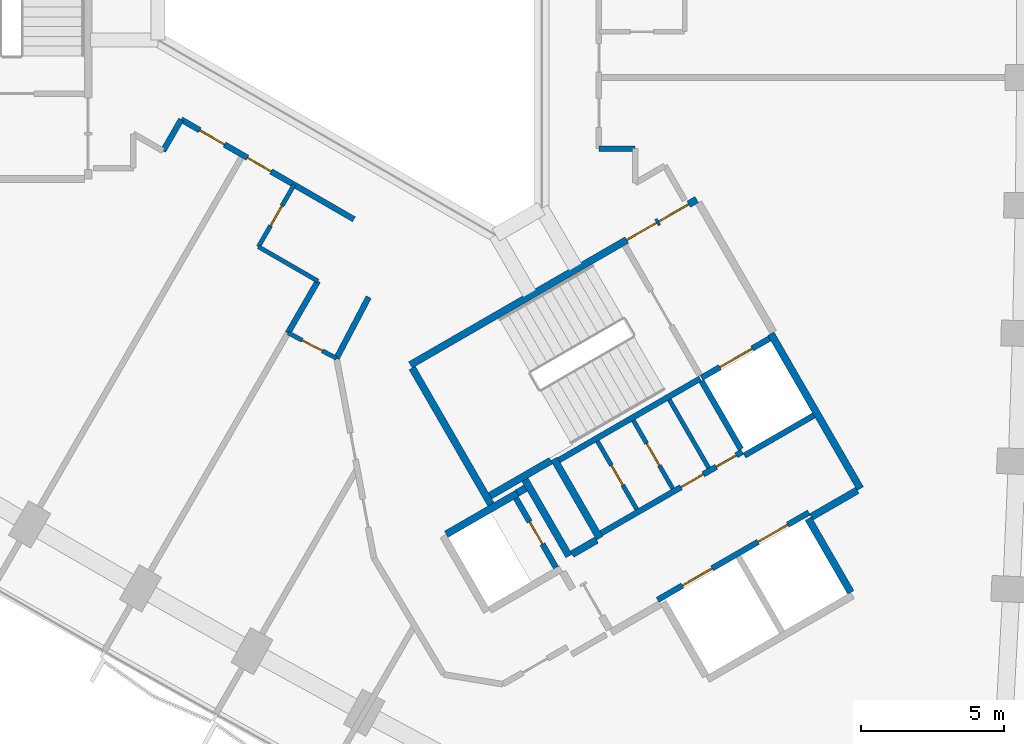
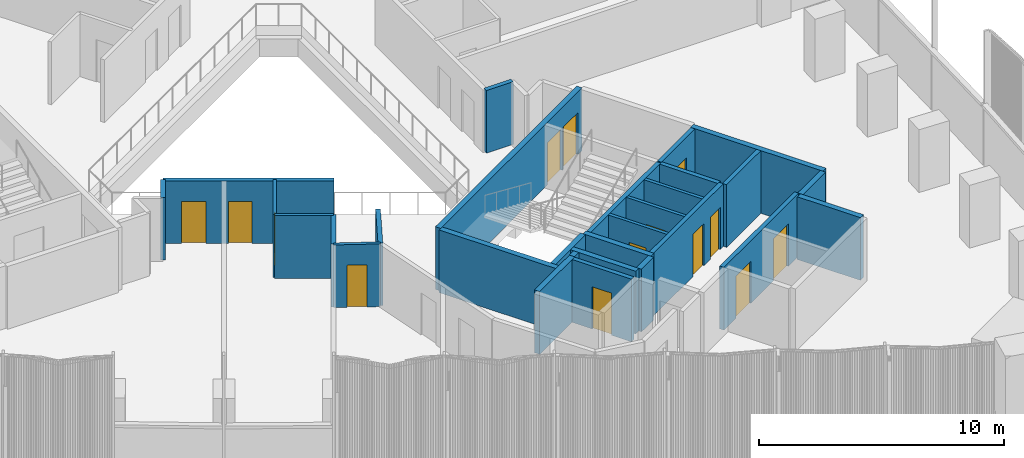
# One storey, part 10 of 16: 29 walls, 14 doors, 14 openings.
"""IFC4 building model written with IfcOpenShell, lengths in metres."""

from ifc_helpers import new_model, si_unit, direction, frame, frame_2d, origin, place, context, subcontext, project, spatial, rectangle, extrude, material, layer, layer_set, type_object, element, fill, save


model = new_model("IFC4")

# Units and contexts
model_context = context("Model", 3, precision=1e-05, world=origin(), true_north=direction((0.0, 1.0)))
body_context = subcontext(model_context, "Body", "Model", "MODEL_VIEW")
ifc_project = project(units=[si_unit("LENGTHUNIT", "METRE"), si_unit("AREAUNIT", "SQUARE_METRE"), si_unit("VOLUMEUNIT", "CUBIC_METRE"), si_unit("PLANEANGLEUNIT", "RADIAN"), si_unit("MASSUNIT", "GRAM", prefix="KILO")], contexts=[model_context])

# Site, building, storey
site_placement = place(None, origin())
site = spatial("IfcSite", under=ifc_project, at=site_placement, CompositionType="ELEMENT")
building_placement = place(site_placement, origin())
building = spatial("IfcBuilding", under=site, at=building_placement, Name="Tamra Quay Hotel Tower", CompositionType="ELEMENT")
storey_placement = place(building_placement, frame((0.0, 0.0, 45.800048828125)))
storey = spatial("IfcBuildingStorey", under=building, at=storey_placement, Name="L09", CompositionType="ELEMENT", Elevation=45.800048828125)

# Wall, openings, doors
ifc_material_1 = material(Name="Concrete M70", Category="concrete")
ifc_layer_1 = layer(ifc_material_1, 0.199951171875)
ifc_layer_set_1 = layer_set([ifc_layer_1], Name="Concrete M70 core wall 200")
wall_type_1 = type_object("IfcWallType", Name="Concrete M70 core wall 200", PredefinedType="SHEAR", material=ifc_layer_set_1)
wall_1_placement = place(storey_placement, frame((9.052490234375, -20.479736328125, 0.0), z_axis=(0.0, 0.0, 1.0), x_axis=(0.866030299012, 0.499991521122, 0.0)))
wall_1 = element("IfcWall", 1, at=wall_1_placement, inside=storey, type_object=wall_type_1, Name="CW2", PredefinedType="SHEAR", context=body_context, shape_type="SweptSolid", body=[
    extrude(rectangle(XDim=6.10009765625, YDim=0.199951171875, at=frame_2d((3.050048828125, 0.0))), origin(), (0.0, 0.0, 1.0), 3.125),
])
opening_1_placement = place(wall_1_placement, frame((1.0, 0.0, 0.0)))
opening_1 = element("IfcOpeningElement", 2, at=opening_1_placement, cuts=wall_1, Name="Opening LD", PredefinedType="OPENING", context=body_context, shape_type="SweptSolid", body=[
    extrude(rectangle(XDim=1.199951171875, YDim=2.10009765625, at=frame_2d((0.60009765625, 1.050048828125))), frame((0.0, 0.10986328125, 0.0), z_axis=(0.0, -1.0, 0.0), x_axis=(1.0, 0.0, 0.0)), (0.0, 0.0, 1.0), 0.219970703125),
])
opening_2_placement = place(wall_1_placement, frame((4.05029296875, 0.0, 0.0)))
opening_2 = element("IfcOpeningElement", 3, at=opening_2_placement, cuts=wall_1, Name="Opening LD", PredefinedType="OPENING", context=body_context, shape_type="SweptSolid", body=[
    extrude(rectangle(XDim=1.199951171875, YDim=2.10009765625, at=frame_2d((0.60009765625, 1.050048828125))), frame((0.0, 0.10986328125, 0.0), z_axis=(0.0, -1.0, 0.0), x_axis=(1.0, 0.0, 0.0)), (0.0, 0.0, 1.0), 0.219970703125),
])
ifc_material_2 = material(Name="Landing door LD 1200 double door sliding")
door_type_1 = type_object("IfcDoorType", Name="Landing door LD 1200 double door sliding", OperationType="DOUBLE_DOOR_SLIDING", PredefinedType="DOOR", material=ifc_material_2)
door_1_placement = place(opening_1_placement, origin())
door_1 = element("IfcDoor", 4, at=door_1_placement, inside=storey, type_object=door_type_1, Name="LD", OperationType="DOUBLE_DOOR_SLIDING", OverallHeight=2.10009765625, OverallWidth=1.199951171875, PredefinedType="DOOR", context=body_context, shape_type="SweptSolid", body=[
    extrude(rectangle(XDim=1.199951171875, YDim=2.10009765625, at=frame_2d((0.60009765625, 1.050048828125))), frame((0.0, 0.02490234375, 0.0), z_axis=(0.0, -1.0, 0.0), x_axis=(1.0, 0.0, 0.0)), (0.0, 0.0, 1.0), 0.050048828125),
])
fill(opening_1, door_1)
door_2_placement = place(opening_2_placement, origin())
door_2 = element("IfcDoor", 5, at=door_2_placement, inside=storey, type_object=door_type_1, Name="LD", OperationType="DOUBLE_DOOR_SLIDING", OverallHeight=2.10009765625, OverallWidth=1.199951171875, PredefinedType="DOOR", context=body_context, shape_type="SweptSolid", body=[
    extrude(rectangle(XDim=1.199951171875, YDim=2.10009765625, at=frame_2d((0.60009765625, 1.050048828125))), frame((0.0, 0.02490234375, 0.0), z_axis=(0.0, -1.0, 0.0), x_axis=(1.0, 0.0, 0.0)), (0.0, 0.0, 1.0), 0.050048828125),
])
fill(opening_2, door_2)

# Wall
wall_2_placement = place(storey_placement, frame((10.537841796875, -12.751953125, 0.0), z_axis=(0.0, 0.0, 1.0), x_axis=(-0.866038630372, -0.499977090179, 0.0)))
element("IfcWall", 6, at=wall_2_placement, inside=storey, type_object=wall_type_1, Name="CW2", PredefinedType="SHEAR", context=body_context, shape_type="SweptSolid", body=[
    extrude(rectangle(XDim=5.698974609375, YDim=0.199951171875, at=frame_2d((2.849609375, 0.0))), origin(), (0.0, 0.0, 1.0), 3.125),
])

# Wall, openings, doors
wall_3_placement = place(storey_placement, frame((7.0771484375, -18.156005859375, 0.0), z_axis=(0.0, 0.0, 1.0), x_axis=(0.866038630372, 0.499977090179, 0.0)))
wall_3 = element("IfcWall", 7, at=wall_3_placement, inside=storey, type_object=wall_type_1, Name="CW2", PredefinedType="SHEAR", context=body_context, shape_type="SweptSolid", body=[
    extrude(rectangle(XDim=5.698974609375, YDim=0.199951171875, at=frame_2d((2.849609375, 0.0))), origin(), (0.0, 0.0, 1.0), 3.125),
])
opening_3_placement = place(wall_3_placement, frame((3.22412109375, 0.0, 0.0)))
opening_3 = element("IfcOpeningElement", 8, at=opening_3_placement, cuts=wall_3, Name="Opening D2", PredefinedType="OPENING", context=body_context, shape_type="SweptSolid", body=[
    extrude(rectangle(XDim=0.89990234375, YDim=2.10009765625, at=frame_2d((0.449951171875, 1.050048828125))), frame((0.0, 0.10986328125, 0.0), z_axis=(0.0, -1.0, 0.0), x_axis=(1.0, 0.0, 0.0)), (0.0, 0.0, 1.0), 0.219970703125),
])
opening_4_placement = place(wall_3_placement, frame((4.64892578125, 0.0, 0.0)))
opening_4 = element("IfcOpeningElement", 9, at=opening_4_placement, cuts=wall_3, Name="Opening D3", PredefinedType="OPENING", context=body_context, shape_type="SweptSolid", body=[
    extrude(rectangle(XDim=0.800048828125, YDim=2.10009765625, at=frame_2d((0.39990234375, 1.050048828125))), frame((0.0, 0.10986328125, 0.0), z_axis=(0.0, -1.0, 0.0), x_axis=(1.0, 0.0, 0.0)), (0.0, 0.0, 1.0), 0.219970703125),
])
ifc_material_3 = material(Name="Core door D2 900x2100 RH")
door_type_2 = type_object("IfcDoorType", Name="Core door D2 900x2100 RH", OperationType="NOTDEFINED", PredefinedType="DOOR", material=ifc_material_3)
door_3_placement = place(opening_3_placement, origin())
door_3 = element("IfcDoor", 10, at=door_3_placement, inside=storey, type_object=door_type_2, Name="D2", OperationType="SINGLE_SWING_RIGHT", OverallHeight=2.10009765625, OverallWidth=0.89990234375, PredefinedType="DOOR", context=body_context, shape_type="SweptSolid", body=[
    extrude(rectangle(XDim=0.89990234375, YDim=2.10009765625, at=frame_2d((0.449951171875, 1.050048828125))), frame((0.0, 0.02490234375, 0.0), z_axis=(0.0, -1.0, 0.0), x_axis=(1.0, 0.0, 0.0)), (0.0, 0.0, 1.0), 0.050048828125),
])
fill(opening_3, door_3)
ifc_material_4 = material(Name="Core door D3 800x2100 LH")
door_type_3 = type_object("IfcDoorType", Name="Core door D3 800x2100 LH", OperationType="NOTDEFINED", PredefinedType="DOOR", material=ifc_material_4)
door_4_placement = place(opening_4_placement, origin())
door_4 = element("IfcDoor", 11, at=door_4_placement, inside=storey, type_object=door_type_3, Name="D3", OperationType="SINGLE_SWING_LEFT", OverallHeight=2.10009765625, OverallWidth=0.800048828125, PredefinedType="DOOR", context=body_context, shape_type="SweptSolid", body=[
    extrude(rectangle(XDim=0.800048828125, YDim=2.10009765625, at=frame_2d((0.39990234375, 1.050048828125))), frame((0.0, 0.02490234375, 0.0), z_axis=(0.0, -1.0, 0.0), x_axis=(1.0, 0.0, 0.0)), (0.0, 0.0, 1.0), 0.050048828125),
])
fill(opening_4, door_4)

# Wall, opening, door
wall_4_placement = place(storey_placement, frame((5.50341796875, -19.352294921875, 0.0), z_axis=(0.0, 0.0, 1.0), x_axis=(-0.499986818241, 0.866033014143, 0.0)))
wall_4 = element("IfcWall", 12, at=wall_4_placement, inside=storey, type_object=wall_type_1, Name="CW2", PredefinedType="SHEAR", context=body_context, shape_type="SweptSolid", body=[
    extrude(rectangle(XDim=2.7978515625, YDim=0.199951171875, at=frame_2d((1.39892578125, 0.0))), origin(), (0.0, 0.0, 1.0), 3.125),
])
opening_5_placement = place(wall_4_placement, frame((0.948974609375, 0.0, 0.0)))
opening_5 = element("IfcOpeningElement", 13, at=opening_5_placement, cuts=wall_4, Name="Opening D1", PredefinedType="OPENING", context=body_context, shape_type="SweptSolid", body=[
    extrude(rectangle(XDim=0.89990234375, YDim=2.10009765625, at=frame_2d((0.449951171875, 1.050048828125))), frame((0.0, 0.10986328125, 0.0), z_axis=(0.0, -1.0, 0.0), x_axis=(1.0, 0.0, 0.0)), (0.0, 0.0, 1.0), 0.219970703125),
])
ifc_material_5 = material(Name="Core door D1 900x2100 RH")
door_type_4 = type_object("IfcDoorType", Name="Core door D1 900x2100 RH", OperationType="NOTDEFINED", PredefinedType="DOOR", material=ifc_material_5)
door_5_placement = place(opening_5_placement, origin())
door_5 = element("IfcDoor", 14, at=door_5_placement, inside=storey, type_object=door_type_4, Name="D1", OperationType="SINGLE_SWING_RIGHT", OverallHeight=2.10009765625, OverallWidth=0.89990234375, PredefinedType="DOOR", context=body_context, shape_type="SweptSolid", body=[
    extrude(rectangle(XDim=0.89990234375, YDim=2.10009765625, at=frame_2d((0.449951171875, 1.050048828125))), frame((0.0, 0.02490234375, 0.0), z_axis=(0.0, -1.0, 0.0), x_axis=(1.0, 0.0, 0.0)), (0.0, 0.0, 1.0), 0.050048828125),
])
fill(opening_5, door_5)

# Wall
wall_5_placement = place(storey_placement, frame((11.962646484375, -15.219970703125, 0.0), z_axis=(0.0, 0.0, 1.0), x_axis=(-0.500034990121, 0.866005201286, 0.0)))
element("IfcWall", 15, at=wall_5_placement, inside=storey, type_object=wall_type_1, Name="CW2", PredefinedType="SHEAR", context=body_context, shape_type="SweptSolid", body=[
    extrude(rectangle(XDim=2.749755859375, YDim=0.199951171875, at=frame_2d((1.375, 0.0))), origin(), (0.0, 0.0, 1.0), 3.125),
])

# Wall, opening, door
wall_6_placement = place(storey_placement, frame((10.587158203125, -12.72314453125, 0.0), z_axis=(0.0, 0.0, 1.0), x_axis=(0.866037306777, 0.499979382845, 0.0)))
wall_6 = element("IfcWall", 16, at=wall_6_placement, inside=storey, type_object=wall_type_1, Name="CW2", PredefinedType="SHEAR", context=body_context, shape_type="SweptSolid", body=[
    extrude(rectangle(XDim=2.74169921875, YDim=0.199951171875, at=frame_2d((1.370849609375, 0.0))), origin(), (0.0, 0.0, 1.0), 3.125),
])
opening_6_placement = place(wall_6_placement, frame((0.742919921875, 0.0, 0.0)))
opening_6 = element("IfcOpeningElement", 17, at=opening_6_placement, cuts=wall_6, Name="Opening LD", PredefinedType="OPENING", context=body_context, shape_type="SweptSolid", body=[
    extrude(rectangle(XDim=1.300048828125, YDim=2.10009765625, at=frame_2d((0.64990234375, 1.050048828125))), frame((0.0, 0.10986328125, 0.0), z_axis=(0.0, -1.0, 0.0), x_axis=(1.0, 0.0, 0.0)), (0.0, 0.0, 1.0), 0.219970703125),
])
ifc_material_6 = material(Name="Landing door LD 1300 sliding to left")
door_type_5 = type_object("IfcDoorType", Name="Landing door LD 1300 sliding to left", OperationType="NOTDEFINED", PredefinedType="DOOR", material=ifc_material_6)
door_6_placement = place(opening_6_placement, origin())
door_6 = element("IfcDoor", 18, at=door_6_placement, inside=storey, type_object=door_type_5, Name="LD", OperationType="SLIDING_TO_LEFT", OverallHeight=2.10009765625, OverallWidth=1.300048828125, PredefinedType="DOOR", context=body_context, shape_type="SweptSolid", body=[
    extrude(rectangle(XDim=1.300048828125, YDim=2.10009765625, at=frame_2d((0.64990234375, 1.050048828125))), frame((0.0, 0.02490234375, 0.0), z_axis=(0.0, -1.0, 0.0), x_axis=(1.0, 0.0, 0.0)), (0.0, 0.0, 1.0), 0.050048828125),
])
fill(opening_6, door_6)

# Wall
wall_7_placement = place(storey_placement, frame((14.51171875, -14.037109375, 0.0), z_axis=(0.0, 0.0, 1.0), x_axis=(-0.866044696403, -0.499966582715, 0.0)))
element("IfcWall", 19, at=wall_7_placement, inside=storey, type_object=wall_type_1, Name="CW2", PredefinedType="SHEAR", context=body_context, shape_type="SweptSolid", body=[
    extrude(rectangle(XDim=2.799072265625, YDim=0.199951171875, at=frame_2d((1.3994140625, 0.0))), origin(), (0.0, 0.0, 1.0), 3.125),
])

# Wall, openings, doors
ifc_layer_2 = layer(ifc_material_1, 0.25)
ifc_layer_set_2 = layer_set([ifc_layer_2], Name="Concrete M70 core wall 250")
wall_type_2 = type_object("IfcWallType", Name="Concrete M70 core wall 250", PredefinedType="SHEAR", material=ifc_layer_set_2)
wall_8_placement = place(storey_placement, frame((0.417236328125, -12.27294921875, 0.0), z_axis=(0.0, 0.0, 1.0), x_axis=(0.866021906294, 0.500006057782, 0.0)))
wall_8 = element("IfcWall", 20, at=wall_8_placement, inside=storey, type_object=wall_type_2, Name="CW1", PredefinedType="SHEAR", context=body_context, shape_type="SweptSolid", body=[
    extrude(rectangle(XDim=11.550048828125, YDim=0.25, at=frame_2d((5.77490234375, 0.0))), origin(), (0.0, 0.0, 1.0), 3.125),
])
opening_7_placement = place(wall_8_placement, frame((10.024658203125, 0.0, 0.0)))
opening_7 = element("IfcOpeningElement", 21, at=opening_7_placement, cuts=wall_8, Name="Opening FD1", PredefinedType="OPENING", context=body_context, shape_type="SweptSolid", body=[
    extrude(rectangle(XDim=1.199951171875, YDim=2.10009765625, at=frame_2d((0.60009765625, 1.050048828125))), frame((0.0, 0.135009765625, 0.0), z_axis=(0.0, -1.0, 0.0), x_axis=(1.0, 0.0, 0.0)), (0.0, 0.0, 1.0), 0.27001953125),
])
opening_8_placement = place(wall_8_placement, frame((8.724609375, 0.0, 0.0)))
opening_8 = element("IfcOpeningElement", 22, at=opening_8_placement, cuts=wall_8, Name="Opening FD1", PredefinedType="OPENING", context=body_context, shape_type="SweptSolid", body=[
    extrude(rectangle(XDim=1.199951171875, YDim=2.10009765625, at=frame_2d((0.60009765625, 1.050048828125))), frame((0.0, 0.135009765625, 0.0), z_axis=(0.0, -1.0, 0.0), x_axis=(1.0, 0.0, 0.0)), (0.0, 0.0, 1.0), 0.27001953125),
])
ifc_material_7 = material(Name="Core door FD1 1200x2100 LH")
door_type_6 = type_object("IfcDoorType", Name="Core door FD1 1200x2100 LH", OperationType="NOTDEFINED", PredefinedType="DOOR", material=ifc_material_7)
door_7_placement = place(opening_7_placement, origin())
door_7 = element("IfcDoor", 23, at=door_7_placement, inside=storey, type_object=door_type_6, Name="FD1", OperationType="SINGLE_SWING_LEFT", OverallHeight=2.10009765625, OverallWidth=1.199951171875, PredefinedType="DOOR", context=body_context, shape_type="SweptSolid", body=[
    extrude(rectangle(XDim=1.199951171875, YDim=2.10009765625, at=frame_2d((0.60009765625, 1.050048828125))), frame((0.0, 0.02490234375, 0.0), z_axis=(0.0, -1.0, 0.0), x_axis=(1.0, 0.0, 0.0)), (0.0, 0.0, 1.0), 0.050048828125),
])
fill(opening_7, door_7)
ifc_material_8 = material(Name="Core door FD1 1200x2100 RH")
door_type_7 = type_object("IfcDoorType", Name="Core door FD1 1200x2100 RH", OperationType="NOTDEFINED", PredefinedType="DOOR", material=ifc_material_8)
door_8_placement = place(opening_8_placement, origin())
door_8 = element("IfcDoor", 24, at=door_8_placement, inside=storey, type_object=door_type_7, Name="FD1", OperationType="SINGLE_SWING_RIGHT", OverallHeight=2.10009765625, OverallWidth=1.199951171875, PredefinedType="DOOR", context=body_context, shape_type="SweptSolid", body=[
    extrude(rectangle(XDim=1.199951171875, YDim=2.10009765625, at=frame_2d((0.60009765625, 1.050048828125))), frame((0.0, 0.02490234375, 0.0), z_axis=(0.0, -1.0, 0.0), x_axis=(1.0, 0.0, 0.0)), (0.0, 0.0, 1.0), 0.050048828125),
])
fill(opening_8, door_8)

# Walls
wall_9_placement = place(storey_placement, frame((13.00830078125, -11.18115234375, 0.0), z_axis=(0.0, 0.0, 1.0), x_axis=(0.500004234368, -0.866022959057, 0.0)))
element("IfcWall", 25, at=wall_9_placement, inside=storey, type_object=wall_type_2, Name="CW1", PredefinedType="SHEAR", context=body_context, shape_type="SweptSolid", body=[
    extrude(rectangle(XDim=6.25, YDim=0.25, at=frame_2d((3.125, 0.0))), origin(), (0.0, 0.0, 1.0), 3.125),
])
wall_10_placement = place(storey_placement, frame((3.23486328125, -17.15283203125, 0.0), z_axis=(0.0, 0.0, 1.0), x_axis=(-0.500008851346, 0.866020293397, 0.0)))
element("IfcWall", 26, at=wall_10_placement, inside=storey, type_object=wall_type_2, Name="CW1", PredefinedType="SHEAR", context=body_context, shape_type="SweptSolid", body=[
    extrude(rectangle(XDim=5.509765625, YDim=0.25, at=frame_2d((2.7548828125, 0.0))), origin(), (0.0, 0.0, 1.0), 3.125),
])
wall_11_placement = place(storey_placement, frame((7.030517578125, -18.327392578125, 0.0), z_axis=(0.0, 0.0, 1.0), x_axis=(-0.499971222258, 0.866042017984, 0.0)))
element("IfcWall", 27, at=wall_11_placement, inside=storey, type_object=wall_type_2, Name="CW1", PredefinedType="SHEAR", context=body_context, shape_type="SweptSolid", body=[
    extrude(rectangle(XDim=3.199951171875, YDim=0.25, at=frame_2d((1.60009765625, 0.0))), origin(), (0.0, 0.0, 1.0), 3.125),
])
wall_12_placement = place(storey_placement, frame((14.314697265625, -17.643798828125, 0.0), z_axis=(0.0, 0.0, 1.0), x_axis=(0.500023226632, -0.866011993467, 0.0)))
element("IfcWall", 28, at=wall_12_placement, inside=storey, type_object=wall_type_2, Name="CW1", PredefinedType="SHEAR", context=body_context, shape_type="SweptSolid", body=[
    extrude(rectangle(XDim=2.974365234375, YDim=0.25, at=frame_2d((1.4873046875, 0.0))), origin(), (0.0, 0.0, 1.0), 3.125),
])
wall_13_placement = place(storey_placement, frame((1.6689453125, -18.189697265625, 0.0), z_axis=(0.0, 0.0, 1.0), x_axis=(0.866042235819, 0.499970844928, 0.0)))
element("IfcWall", 29, at=wall_13_placement, inside=storey, type_object=wall_type_2, Name="CW1", PredefinedType="SHEAR", context=body_context, shape_type="SweptSolid", body=[
    extrude(rectangle(XDim=2.864501953125, YDim=0.25, at=frame_2d((1.43212890625, 0.0))), origin(), (0.0, 0.0, 1.0), 3.125),
])
wall_14_placement = place(storey_placement, frame((4.414306640625, -16.275634765625, 0.0), z_axis=(0.0, 0.0, 1.0), x_axis=(0.500003324108, -0.866023484601, 0.0)))
element("IfcWall", 30, at=wall_14_placement, inside=storey, type_object=wall_type_2, Name="CW1", PredefinedType="SHEAR", context=body_context, shape_type="SweptSolid", body=[
    extrude(rectangle(XDim=3.0849609375, YDim=0.25, at=frame_2d((1.54248046875, 0.0))), origin(), (0.0, 0.0, 1.0), 3.125),
])
wall_15_placement = place(storey_placement, frame((5.322021484375, -15.618896484375, 0.0), z_axis=(0.0, 0.0, 1.0), x_axis=(-0.866026229868, -0.499998569178, 0.0)))
element("IfcWall", 31, at=wall_15_placement, inside=storey, type_object=wall_type_2, Name="CW1", PredefinedType="SHEAR", context=body_context, shape_type="SweptSolid", body=[
    extrude(rectangle(XDim=2.44921875, YDim=0.25, at=frame_2d((1.224609375, 0.0))), origin(), (0.0, 0.0, 1.0), 3.125),
])
wall_16_placement = place(storey_placement, frame((16.024658203125, -16.656494140625, 0.0), z_axis=(0.0, 0.0, 1.0), x_axis=(-0.866016279763, -0.500015802937, 0.0)))
element("IfcWall", 32, at=wall_16_placement, inside=storey, type_object=wall_type_2, Name="CW1", PredefinedType="SHEAR", context=body_context, shape_type="SweptSolid", body=[
    extrude(rectangle(XDim=1.84912109375, YDim=0.25, at=frame_2d((0.924560546875, 0.0))), origin(), (0.0, 0.0, 1.0), 3.125),
])
wall_17_placement = place(storey_placement, frame((6.0654296875, -18.884765625, 0.0), z_axis=(0.0, 0.0, 1.0), x_axis=(0.866017078145, 0.500014420154, 0.0)))
element("IfcWall", 33, at=wall_17_placement, inside=storey, type_object=wall_type_2, Name="CW1", PredefinedType="SHEAR", context=body_context, shape_type="SweptSolid", body=[
    extrude(rectangle(XDim=0.9892578125, YDim=0.25, at=frame_2d((0.49462890625, 0.0))), origin(), (0.0, 0.0, 1.0), 3.125),
])
wall_18_placement = place(storey_placement, frame((4.144775390625, -16.748779296875, 0.0), z_axis=(0.0, 0.0, 1.0), x_axis=(0.866185586049, 0.49972245349, 0.0)))
element("IfcWall", 34, at=wall_18_placement, inside=storey, type_object=wall_type_2, Name="CW1", PredefinedType="SHEAR", context=body_context, shape_type="SweptSolid", body=[
    extrude(rectangle(XDim=0.344482421875, YDim=0.25, at=frame_2d((0.17236328125, 0.0))), origin(), (0.0, 0.0, 1.0), 3.125),
])

# Wall, opening, door
ifc_material_9 = material(Name="Blockwork", Category="masonry")
ifc_layer_3 = layer(ifc_material_9, 0.14990234375)
ifc_layer_set_3 = layer_set([ifc_layer_3], Name="Core partition block 150")
wall_type_3 = type_object("IfcWallType", Name="Core partition block 150", PredefinedType="PARTITIONING", material=ifc_layer_set_3)
wall_19_placement = place(storey_placement, frame((8.20654296875, -14.214111328125, 0.0), z_axis=(0.0, 0.0, 1.0), x_axis=(0.50002746344, -0.86600954718, 0.0)))
wall_19 = element("IfcWall", 35, at=wall_19_placement, inside=storey, type_object=wall_type_3, Name="CP1", PredefinedType="PARTITIONING", context=body_context, shape_type="SweptSolid", body=[
    extrude(rectangle(XDim=2.748291015625, YDim=0.14990234375, at=frame_2d((1.3740234375, 0.0))), origin(), (0.0, 0.0, 1.0), 3.125),
])
opening_9_placement = place(wall_19_placement, frame((0.92431640625, 0.0, 0.0)))
opening_9 = element("IfcOpeningElement", 36, at=opening_9_placement, cuts=wall_19, Name="Opening D2", PredefinedType="OPENING", context=body_context, shape_type="SweptSolid", body=[
    extrude(rectangle(XDim=0.89990234375, YDim=2.10009765625, at=frame_2d((0.449951171875, 1.050048828125))), frame((0.0, 0.0849609375, 0.0), z_axis=(0.0, -1.0, 0.0), x_axis=(1.0, 0.0, 0.0)), (0.0, 0.0, 1.0), 0.169921875),
])
ifc_material_10 = material(Name="Core door D2 900x2100 LH")
door_type_8 = type_object("IfcDoorType", Name="Core door D2 900x2100 LH", OperationType="NOTDEFINED", PredefinedType="DOOR", material=ifc_material_10)
door_9_placement = place(opening_9_placement, origin())
door_9 = element("IfcDoor", 37, at=door_9_placement, inside=storey, type_object=door_type_8, Name="D2", OperationType="SINGLE_SWING_LEFT", OverallHeight=2.10009765625, OverallWidth=0.89990234375, PredefinedType="DOOR", context=body_context, shape_type="SweptSolid", body=[
    extrude(rectangle(XDim=0.89990234375, YDim=2.10009765625, at=frame_2d((0.449951171875, 1.050048828125))), frame((0.0, 0.02490234375, 0.0), z_axis=(0.0, -1.0, 0.0), x_axis=(1.0, 0.0, 0.0)), (0.0, 0.0, 1.0), 0.050048828125),
])
fill(opening_9, door_9)

# Wall
wall_20_placement = place(storey_placement, frame((9.46240234375, -13.489013671875, 0.0), z_axis=(0.0, 0.0, 1.0), x_axis=(0.499988999718, -0.866031754707, 0.0)))
element("IfcWall", 38, at=wall_20_placement, inside=storey, type_object=wall_type_3, Name="CP1", PredefinedType="PARTITIONING", context=body_context, shape_type="SweptSolid", body=[
    extrude(rectangle(XDim=2.74853515625, YDim=0.14990234375, at=frame_2d((1.374267578125, 0.0))), origin(), (0.0, 0.0, 1.0), 3.125),
])

# Wall, opening, door
wall_21_placement = place(storey_placement, frame((6.950927734375, -14.93896484375, 0.0), z_axis=(0.0, 0.0, 1.0), x_axis=(0.499988999718, -0.866031754707, 0.0)))
wall_21 = element("IfcWall", 39, at=wall_21_placement, inside=storey, type_object=wall_type_3, Name="CP1", PredefinedType="PARTITIONING", context=body_context, shape_type="SweptSolid", body=[
    extrude(rectangle(XDim=2.74853515625, YDim=0.14990234375, at=frame_2d((1.374267578125, 0.0))), origin(), (0.0, 0.0, 1.0), 3.125),
])
opening_10_placement = place(wall_21_placement, frame((0.97412109375, 0.0, 0.0)))
opening_10 = element("IfcOpeningElement", 40, at=opening_10_placement, cuts=wall_21, Name="Opening D3", PredefinedType="OPENING", context=body_context, shape_type="SweptSolid", body=[
    extrude(rectangle(XDim=0.800048828125, YDim=2.10009765625, at=frame_2d((0.39990234375, 1.050048828125))), frame((0.0, 0.0849609375, 0.0), z_axis=(0.0, -1.0, 0.0), x_axis=(1.0, 0.0, 0.0)), (0.0, 0.0, 1.0), 0.169921875),
])
ifc_material_11 = material(Name="Core door D3 800x2100 RH")
door_type_9 = type_object("IfcDoorType", Name="Core door D3 800x2100 RH", OperationType="NOTDEFINED", PredefinedType="DOOR", material=ifc_material_11)
door_10_placement = place(opening_10_placement, origin())
door_10 = element("IfcDoor", 41, at=door_10_placement, inside=storey, type_object=door_type_9, Name="D3", OperationType="SINGLE_SWING_RIGHT", OverallHeight=2.10009765625, OverallWidth=0.800048828125, PredefinedType="DOOR", context=body_context, shape_type="SweptSolid", body=[
    extrude(rectangle(XDim=0.800048828125, YDim=2.10009765625, at=frame_2d((0.39990234375, 1.050048828125))), frame((0.0, 0.02490234375, 0.0), z_axis=(0.0, -1.0, 0.0), x_axis=(1.0, 0.0, 0.0)), (0.0, 0.0, 1.0), 0.050048828125),
])
fill(opening_10, door_10)

# Wall
ifc_material_12 = material(Name="Partition corridor wall")
ifc_layer_4 = layer(ifc_material_12, 0.199951171875)
ifc_layer_set_4 = layer_set([ifc_layer_4], Name="Partition corridor wall")
wall_type_4 = type_object("IfcWallType", Name="Partition corridor wall", PredefinedType="PARTITIONING", material=ifc_layer_set_4)
wall_22_placement = place(storey_placement, frame((-8.222900390625, -4.800048828125, 0.0), z_axis=(0.0, 0.0, 1.0), x_axis=(0.499866914522, 0.866102227088, 0.0)))
element("IfcWall", 42, at=wall_22_placement, inside=storey, type_object=wall_type_4, Name="W-C", PredefinedType="PARTITIONING", context=body_context, shape_type="SweptSolid", body=[
    extrude(rectangle(XDim=1.267822265625, YDim=0.199951171875, at=frame_2d((0.6337890625, 0.0))), origin(), (0.0, 0.0, 1.0), 3.125),
])

# Wall, openings, doors
wall_23_placement = place(storey_placement, frame((-7.589111328125, -3.701904296875, 0.0), z_axis=(0.0, 0.0, 1.0), x_axis=(0.865994210678, -0.500054024153, 0.0)))
wall_23 = element("IfcWall", 43, at=wall_23_placement, inside=storey, type_object=wall_type_4, Name="W-C", PredefinedType="PARTITIONING", context=body_context, shape_type="SweptSolid", body=[
    extrude(rectangle(XDim=6.968505859375, YDim=0.199951171875, at=frame_2d((3.484375, 0.0))), origin(), (0.0, 0.0, 1.0), 3.125),
])
opening_11_placement = place(wall_23_placement, frame((0.748779296875, 0.0, 0.0)))
opening_11 = element("IfcOpeningElement", 44, at=opening_11_placement, cuts=wall_23, Name="Opening L09-D012", PredefinedType="OPENING", context=body_context, shape_type="SweptSolid", body=[
    extrude(rectangle(XDim=1.0, YDim=2.10009765625, at=frame_2d((0.5, 1.050048828125))), frame((0.0, 0.10986328125, 0.0), z_axis=(0.0, -1.0, 0.0), x_axis=(1.0, 0.0, 0.0)), (0.0, 0.0, 1.0), 0.219970703125),
])
opening_12_placement = place(wall_23_placement, frame((2.67431640625, 0.0, 0.0)))
opening_12 = element("IfcOpeningElement", 45, at=opening_12_placement, cuts=wall_23, Name="Opening L09-D013", PredefinedType="OPENING", context=body_context, shape_type="SweptSolid", body=[
    extrude(rectangle(XDim=0.949951171875, YDim=2.10009765625, at=frame_2d((0.47509765625, 1.050048828125))), frame((0.0, 0.10986328125, 0.0), z_axis=(0.0, -1.0, 0.0), x_axis=(1.0, 0.0, 0.0)), (0.0, 0.0, 1.0), 0.219970703125),
])
ifc_material_13 = material(Name="Door guest room 1000x2100")
door_type_10 = type_object("IfcDoorType", Name="Door guest room 1000x2100", OperationType="NOTDEFINED", PredefinedType="DOOR", material=ifc_material_13)
door_11_placement = place(opening_11_placement, frame((1.0, 0.0, 0.0), z_axis=(0.0, 0.0, 1.0), x_axis=(-1.0, 0.0, 0.0)))
door_11 = element("IfcDoor", 46, at=door_11_placement, inside=storey, type_object=door_type_10, Name="L09-D012", OperationType="SINGLE_SWING_LEFT", OverallHeight=2.10009765625, OverallWidth=1.0, PredefinedType="DOOR", context=body_context, shape_type="SweptSolid", body=[
    extrude(rectangle(XDim=1.0, YDim=2.10009765625, at=frame_2d((0.5, 1.050048828125))), frame((0.0, 0.02490234375, 0.0), z_axis=(0.0, -1.0, 0.0), x_axis=(1.0, 0.0, 0.0)), (0.0, 0.0, 1.0), 0.050048828125),
])
fill(opening_11, door_11)
ifc_material_14 = material(Name="Door guest room 950x2100")
door_type_11 = type_object("IfcDoorType", Name="Door guest room 950x2100", OperationType="NOTDEFINED", PredefinedType="DOOR", material=ifc_material_14)
door_12_placement = place(opening_12_placement, frame((0.949951171875, 0.0, 0.0), z_axis=(0.0, 0.0, 1.0), x_axis=(-1.0, 0.0, 0.0)))
door_12 = element("IfcDoor", 47, at=door_12_placement, inside=storey, type_object=door_type_11, Name="L09-D013", OperationType="SINGLE_SWING_LEFT", OverallHeight=2.10009765625, OverallWidth=0.949951171875, PredefinedType="DOOR", context=body_context, shape_type="SweptSolid", body=[
    extrude(rectangle(XDim=0.949951171875, YDim=2.10009765625, at=frame_2d((0.47509765625, 1.050048828125))), frame((0.0, 0.02490234375, 0.0), z_axis=(0.0, -1.0, 0.0), x_axis=(1.0, 0.0, 0.0)), (0.0, 0.0, 1.0), 0.050048828125),
])
fill(opening_12, door_12)

# Walls
wall_24_placement = place(storey_placement, frame((-2.162109375, -12.041015625, 0.0), z_axis=(0.0, 0.0, 1.0), x_axis=(0.464903343334, 0.885361441083, 0.0)))
element("IfcWall", 48, at=wall_24_placement, inside=storey, type_object=wall_type_4, Name="W-C", PredefinedType="PARTITIONING", context=body_context, shape_type="SweptSolid", body=[
    extrude(rectangle(XDim=2.411376953125, YDim=0.199951171875, at=frame_2d((1.20556640625, 0.0))), origin(), (0.0, 0.0, 1.0), 3.125),
])
wall_25_placement = place(storey_placement, frame((7.0, -4.720947265625, 0.0), z_axis=(0.0, 0.0, 1.0), x_axis=(1.0, 0.0, 0.0)))
element("IfcWall", 49, at=wall_25_placement, inside=storey, type_object=wall_type_4, Name="W-C", PredefinedType="PARTITIONING", context=body_context, shape_type="SweptSolid", body=[
    extrude(rectangle(XDim=1.26806640625, YDim=0.199951171875, at=frame_2d((0.634033203125, 0.0))), origin(), (0.0, 0.0, 1.0), 3.125),
])

# Wall, opening, door
ifc_material_15 = material(Name="Partition en-suite wall")
ifc_layer_5 = layer(ifc_material_15, 0.14990234375)
ifc_layer_set_5 = layer_set([ifc_layer_5], Name="Partition en-suite wall")
wall_type_5 = type_object("IfcWallType", Name="Partition en-suite wall", PredefinedType="PARTITIONING", material=ifc_layer_set_5)
wall_26_placement = place(storey_placement, frame((-4.89208984375, -8.14501953125, 0.0), z_axis=(0.0, 0.0, 1.0), x_axis=(0.499711178953, 0.866192090491, 0.0)))
wall_26 = element("IfcWall", 50, at=wall_26_placement, inside=storey, type_object=wall_type_5, Name="W-E", PredefinedType="PARTITIONING", context=body_context, shape_type="SweptSolid", body=[
    extrude(rectangle(XDim=2.49951171875, YDim=0.14990234375, at=frame_2d((1.249755859375, 0.0))), origin(), (0.0, 0.0, 1.0), 3.125),
])
opening_13_placement = place(wall_26_placement, frame((0.849609375, 0.0, 0.0)))
opening_13 = element("IfcOpeningElement", 51, at=opening_13_placement, cuts=wall_26, Name="Opening L09-D014", PredefinedType="OPENING", context=body_context, shape_type="SweptSolid", body=[
    extrude(rectangle(XDim=0.800048828125, YDim=2.10009765625, at=frame_2d((0.39990234375, 1.050048828125))), frame((0.0, 0.0849609375, 0.0), z_axis=(0.0, -1.0, 0.0), x_axis=(1.0, 0.0, 0.0)), (0.0, 0.0, 1.0), 0.169921875),
])
ifc_material_16 = material(Name="Door en-suite 800x2100")
door_type_12 = type_object("IfcDoorType", Name="Door en-suite 800x2100", OperationType="NOTDEFINED", PredefinedType="DOOR", material=ifc_material_16)
door_13_placement = place(opening_13_placement, frame((0.800048828125, 0.0, 0.0), z_axis=(0.0, 0.0, 1.0), x_axis=(-1.0, 0.0, 0.0)))
door_13 = element("IfcDoor", 52, at=door_13_placement, inside=storey, type_object=door_type_12, Name="L09-D014", OperationType="SINGLE_SWING_LEFT", OverallHeight=2.10009765625, OverallWidth=0.800048828125, PredefinedType="DOOR", context=body_context, shape_type="SweptSolid", body=[
    extrude(rectangle(XDim=0.800048828125, YDim=2.10009765625, at=frame_2d((0.39990234375, 1.050048828125))), frame((0.0, 0.02490234375, 0.0), z_axis=(0.0, -1.0, 0.0), x_axis=(1.0, 0.0, 0.0)), (0.0, 0.0, 1.0), 0.050048828125),
])
fill(opening_13, door_13)

# Wall
wall_27_placement = place(storey_placement, frame((-4.89208984375, -8.14501953125, 0.0), z_axis=(0.0, 0.0, 1.0), x_axis=(0.865999212041, -0.500045362686, 0.0)))
element("IfcWall", 53, at=wall_27_placement, inside=storey, type_object=wall_type_5, Name="W-E", PredefinedType="PARTITIONING", context=body_context, shape_type="SweptSolid", body=[
    extrude(rectangle(XDim=2.399658203125, YDim=0.14990234375, at=frame_2d((1.19970703125, 0.0))), origin(), (0.0, 0.0, 1.0), 3.125),
])

# Wall, opening, door
wall_28_placement = place(storey_placement, frame((-3.85693359375, -11.152099609375, 0.0), z_axis=(0.0, 0.0, 1.0), x_axis=(0.885374281086, -0.464878890026, 0.0)))
wall_28 = element("IfcWall", 54, at=wall_28_placement, inside=storey, type_object=wall_type_5, Name="W-E", PredefinedType="PARTITIONING", context=body_context, shape_type="SweptSolid", body=[
    extrude(rectangle(XDim=1.914306640625, YDim=0.14990234375, at=frame_2d((0.95703125, 0.0))), origin(), (0.0, 0.0, 1.0), 3.125),
])
opening_14_placement = place(wall_28_placement, frame((0.55712890625, 0.0, 0.0)))
opening_14 = element("IfcOpeningElement", 55, at=opening_14_placement, cuts=wall_28, Name="Opening L09-D016", PredefinedType="OPENING", context=body_context, shape_type="SweptSolid", body=[
    extrude(rectangle(XDim=0.800048828125, YDim=2.10009765625, at=frame_2d((0.39990234375, 1.050048828125))), frame((0.0, 0.0849609375, 0.0), z_axis=(0.0, -1.0, 0.0), x_axis=(1.0, 0.0, 0.0)), (0.0, 0.0, 1.0), 0.169921875),
])
door_14_placement = place(opening_14_placement, frame((0.800048828125, 0.0, 0.0), z_axis=(0.0, 0.0, 1.0), x_axis=(-1.0, 0.0, 0.0)))
door_14 = element("IfcDoor", 56, at=door_14_placement, inside=storey, type_object=door_type_12, Name="L09-D016", OperationType="SINGLE_SWING_LEFT", OverallHeight=2.10009765625, OverallWidth=0.800048828125, PredefinedType="DOOR", context=body_context, shape_type="SweptSolid", body=[
    extrude(rectangle(XDim=0.800048828125, YDim=2.10009765625, at=frame_2d((0.39990234375, 1.050048828125))), frame((0.0, 0.02490234375, 0.0), z_axis=(0.0, -1.0, 0.0), x_axis=(1.0, 0.0, 0.0)), (0.0, 0.0, 1.0), 0.050048828125),
])
fill(opening_14, door_14)

# Wall
ifc_material_17 = material(Name="Partition party wall")
ifc_layer_6 = layer(ifc_material_17, 0.199951171875)
ifc_layer_set_6 = layer_set([ifc_layer_6], Name="Partition party wall")
wall_type_6 = type_object("IfcWallType", Name="Partition party wall", PredefinedType="PARTITIONING", material=ifc_layer_set_6)
wall_29_placement = place(storey_placement, frame((-3.863037109375, -11.1630859375, 0.0), z_axis=(0.0, 0.0, 1.0), x_axis=(0.499779509621, 0.866152666545, 0.0)))
element("IfcWall", 57, at=wall_29_placement, inside=storey, type_object=wall_type_6, Name="W-P", PredefinedType="PARTITIONING", context=body_context, shape_type="SweptSolid", body=[
    extrude(rectangle(XDim=2.09912109375, YDim=0.199951171875, at=frame_2d((1.049560546875, 0.0))), origin(), (0.0, 0.0, 1.0), 3.125),
])

save(model, "model.ifc")
